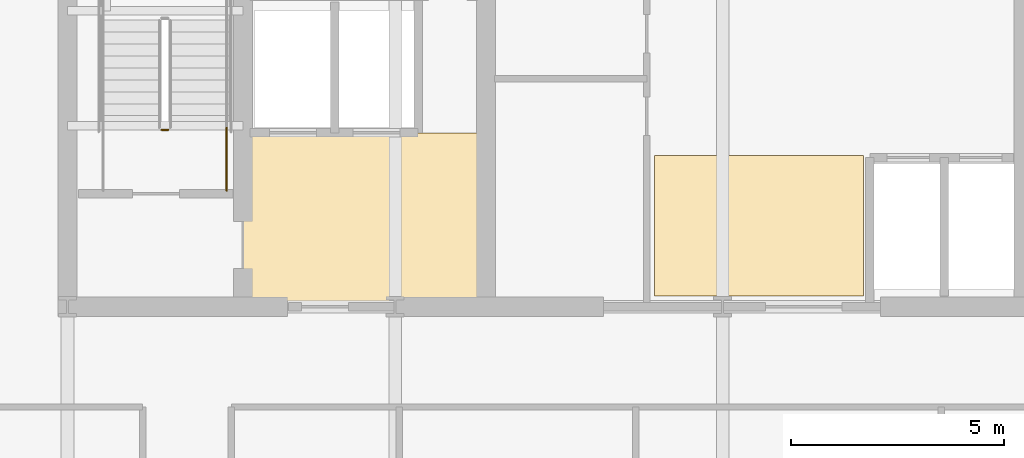
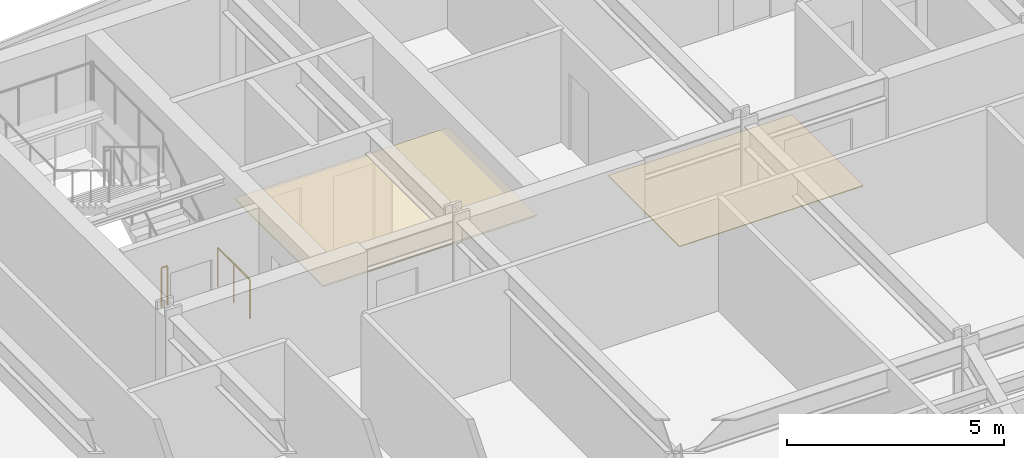
# One storey, part 29 of 33: 2 coverings, 2 railings.
"""IFC4 building model written with IfcOpenShell, lengths in metres."""

from ifc_helpers import new_model, si_unit, direction, frame, origin, origin_2d, place, context, subcontext, project, spatial, polyline, circle, outline, extrude, material, layer, layer_set, type_object, element, save


model = new_model("IFC4")

# Units and contexts
model_context = context("Model", 3, precision=1e-05, world=origin(), true_north=direction((0.0, 1.0)))
body_context = subcontext(model_context, "Body", "Model", "MODEL_VIEW")
ifc_project = project(units=[si_unit("LENGTHUNIT", "METRE"), si_unit("AREAUNIT", "SQUARE_METRE"), si_unit("VOLUMEUNIT", "CUBIC_METRE"), si_unit("PLANEANGLEUNIT", "RADIAN"), si_unit("MASSUNIT", "GRAM", prefix="KILO")], contexts=[model_context])

# Site, building, storey
site_placement = place(None, origin())
site = spatial("IfcSite", under=ifc_project, at=site_placement, CompositionType="ELEMENT")
building_placement = place(site_placement, origin())
building = spatial("IfcBuilding", under=site, at=building_placement, Name="Yelkora Congress Tower", CompositionType="ELEMENT")
storey_placement = place(building_placement, frame((0.0, 0.0, 123.699951171875)))
storey = spatial("IfcBuildingStorey", under=building, at=storey_placement, Name="L33", CompositionType="ELEMENT", Elevation=123.699951171875)

# Coverings
ifc_material_1 = material(Name="Perforated mineral-fibre acoustic ceiling", Category="gypsum")
ifc_layer_1 = layer(ifc_material_1, 0.0400390625)
ifc_layer_set_1 = layer_set([ifc_layer_1], Name="Perforated mineral-fibre acoustic ceiling")
covering_type_1 = type_object("IfcCoveringType", Name="COV-CEIL-ACOUSTIC-40", PredefinedType="CEILING", material=ifc_layer_set_1)
covering_1_placement = place(storey_placement, frame((0.0, 0.0, 2.400146484375)))
element("IfcCovering", 1, at=covering_1_placement, inside=storey, type_object=covering_type_1, Name="L33 Firefighting Lobby Acoustic Ceiling", PredefinedType="CEILING", context=body_context, shape_type="SweptSolid", body=[
    extrude(outline(polyline([(27.14990234375, 35.39990234375), (32.85009765625, 35.39990234375), (32.85009765625, 39.47998046875), (27.14990234375, 39.47998046875), (27.14990234375, 35.39990234375)])), origin(), (0.0, 0.0, 1.0), 0.039794921875),
])
ifc_material_2 = material(Name="Polished Anatolian grey granite tile", Category="masonry")
ifc_layer_2 = layer(ifc_material_2, 0.02001953125)
ifc_layer_set_2 = layer_set([ifc_layer_2], Name="Polished Anatolian grey granite tile")
covering_type_2 = type_object("IfcCoveringType", Name="COV-FLOOR-GRANITE-20", PredefinedType="FLOORING", material=ifc_layer_set_2)
covering_2_placement = place(storey_placement, origin())
element("IfcCovering", 2, at=covering_2_placement, inside=storey, type_object=covering_type_2, Name="L33 Lift Lobby Granite Flooring", PredefinedType="FLOORING", context=body_context, shape_type="SweptSolid", body=[
    extrude(outline(polyline([(36.800048828125, 35.64990234375), (41.699951171875, 35.64990234375), (41.699951171875, 38.949951171875), (36.800048828125, 38.949951171875), (36.800048828125, 35.64990234375)])), origin(), (0.0, 0.0, 1.0), 0.02001953125),
])

# Railings
ifc_material_3 = material(Name="Painted galvanised steel stair well guard with vertical infill", Category="steel")
ifc_layer_3 = layer(ifc_material_3, 0.06005859375)
ifc_layer_set_3 = layer_set([ifc_layer_3], Name="Painted galvanised steel stair well guard with vertical infill")
railing_type = type_object("IfcRailingType", Name="RAIL-STAIR-GUARD-1120", PredefinedType="GUARDRAIL", material=ifc_layer_set_3)
railing_1_placement = place(storey_placement, frame((25.39990234375, 39.550048828125, 0.0)))
element("IfcRailing", 3, at=railing_1_placement, inside=storey, type_object=railing_type, Name="ST-01 L33 Stair Well Guardrail 7", PredefinedType="GUARDRAIL", context=body_context, shape_type="SweptSolid", body=[
    extrude(circle(Radius=0.02392578125, at=origin_2d()), frame((0.0, 0.0, 1.09619140625), z_axis=(-1.0, 0.0, 0.0), x_axis=(0.0, -1.0, 0.0)), (0.0, 0.0, 1.0), 0.159912109375),
    extrude(circle(Radius=0.02099609375, at=origin_2d()), origin(), (0.0, 0.0, 1.0), 1.072021484375),
    extrude(circle(Radius=0.02099609375, at=origin_2d()), frame((-0.159912109375, 0.0, 0.0)), (0.0, 0.0, 1.0), 1.072021484375),
])
railing_2_placement = place(storey_placement, frame((26.77001953125, 38.1201171875, 0.0)))
element("IfcRailing", 4, at=railing_2_placement, inside=storey, type_object=railing_type, Name="ST-01 L33 Stair Well Guardrail 8", PredefinedType="GUARDRAIL", context=body_context, shape_type="SweptSolid", body=[
    extrude(circle(Radius=0.02392578125, at=origin_2d()), frame((0.0, 0.0, 1.09619140625), z_axis=(0.0, 1.0, 0.0), x_axis=(-1.0, 0.0, 0.0)), (0.0, 0.0, 1.0), 1.47998046875),
    extrude(circle(Radius=0.02099609375, at=origin_2d()), origin(), (0.0, 0.0, 1.0), 1.072021484375),
    extrude(circle(Radius=0.02099609375, at=origin_2d()), frame((0.0, 0.739990234375, 0.0)), (0.0, 0.0, 1.0), 1.072021484375),
    extrude(circle(Radius=0.02099609375, at=origin_2d()), frame((0.0, 1.47998046875, 0.0)), (0.0, 0.0, 1.0), 1.072021484375),
])

save(model, "model.ifc")
